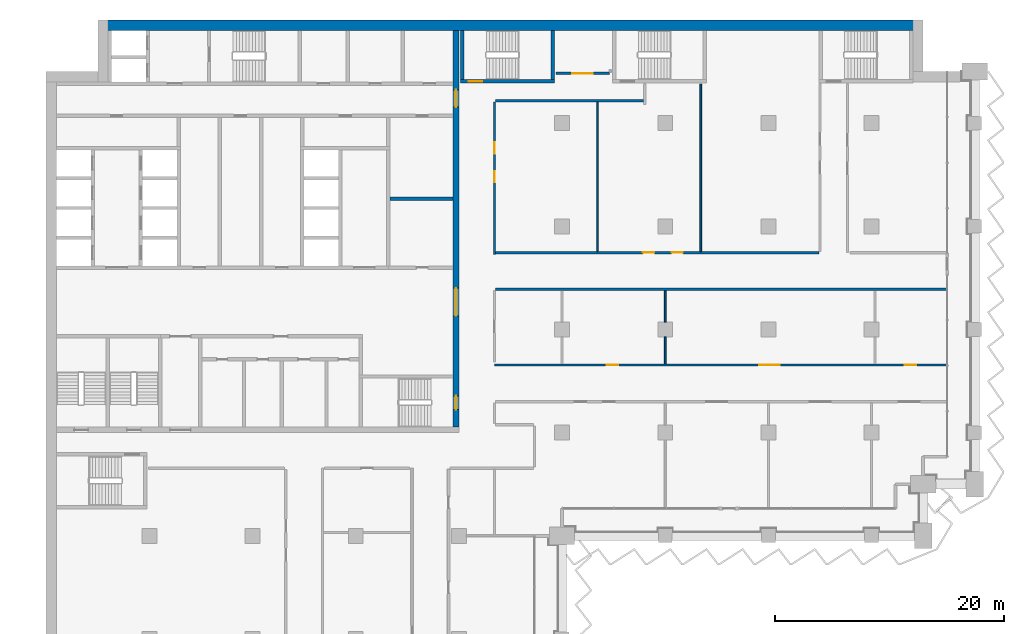
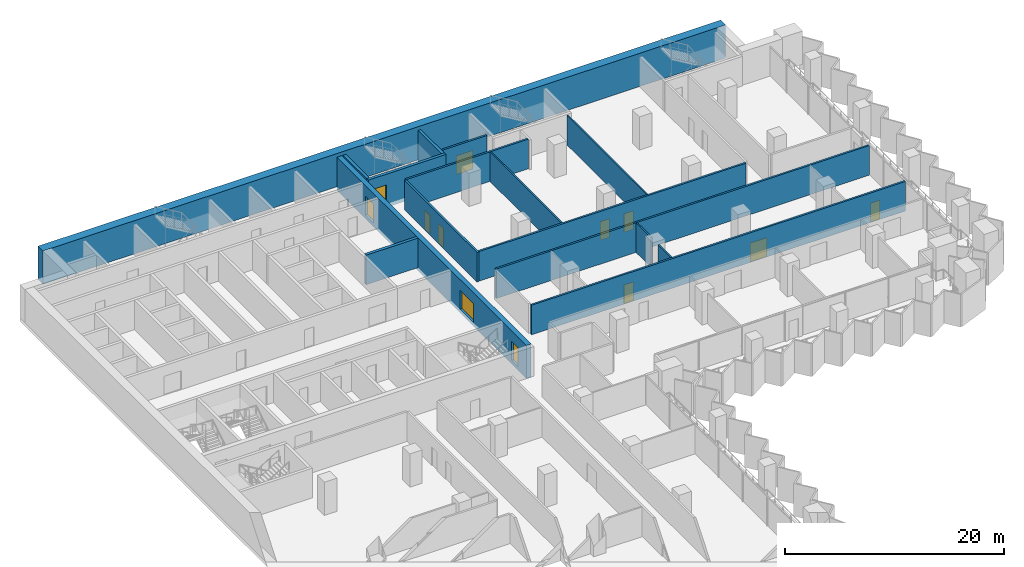
# One storey, part 14 of 23: 16 walls, 12 doors, 12 openings.
"""IFC4 building model written with IfcOpenShell, lengths in metres."""

from ifc_helpers import new_model, si_unit, direction, frame, frame_2d, origin, place, context, subcontext, project, spatial, rectangle, extrude, material, layer, layer_set, type_object, element, fill, save


model = new_model("IFC4")

# Units and contexts
model_context = context("Model", 3, precision=1e-05, world=origin(), true_north=direction((0.0, 1.0)))
body_context = subcontext(model_context, "Body", "Model", "MODEL_VIEW")
ifc_project = project(units=[si_unit("LENGTHUNIT", "METRE"), si_unit("AREAUNIT", "SQUARE_METRE"), si_unit("VOLUMEUNIT", "CUBIC_METRE"), si_unit("PLANEANGLEUNIT", "RADIAN"), si_unit("MASSUNIT", "GRAM", prefix="KILO")], contexts=[model_context])

# Site, building, storey
site_placement = place(None, origin())
site = spatial("IfcSite", under=ifc_project, at=site_placement, CompositionType="ELEMENT")
building_placement = place(site_placement, origin())
building = spatial("IfcBuilding", under=site, at=building_placement, Name="Hunhe Ridgeline Campus", CompositionType="ELEMENT")
storey_placement = place(building_placement, frame((0.0, 0.0, 95.89990234375)))
storey = spatial("IfcBuildingStorey", under=building, at=storey_placement, Name="L23", CompositionType="ELEMENT", Elevation=95.89990234375)

# Wall
ifc_material_1 = material(Name="Masonry concrete blockwork", Category="masonry")
ifc_layer_1 = layer(ifc_material_1, 0.300048828125)
ifc_layer_set_1 = layer_set([ifc_layer_1], Name="Core room partition 300 concrete block")
wall_type_1 = type_object("IfcWallType", Name="Core room partition 300 concrete block", PredefinedType="PARTITIONING", material=ifc_layer_set_1)
wall_1_placement = place(storey_placement, frame((30.0, 83.39990234375, 0.0), z_axis=(0.0, 0.0, 1.0), x_axis=(1.0, 0.0, 0.0)))
element("IfcWall", 1, at=wall_1_placement, inside=storey, type_object=wall_type_1, Name="L23 core partition 20", PredefinedType="PARTITIONING", context=body_context, shape_type="SweptSolid", body=[
    extrude(rectangle(XDim=5.5, YDim=0.300048828125, at=frame_2d((2.75, 0.0))), origin(), (0.0, 0.0, 1.0), 3.300048828125),
])

# Wall, openings, doors
ifc_material_2 = material(Name="Concrete C80", Category="concrete")
ifc_layer_2 = layer(ifc_material_2, 0.5)
ifc_layer_set_2 = layer_set([ifc_layer_2], Name="Core wall 500 reinforced concrete C80")
wall_type_2 = type_object("IfcWallType", Name="Core wall 500 reinforced concrete C80", PredefinedType="SOLIDWALL", material=ifc_layer_set_2)
wall_2_placement = place(storey_placement, frame((35.75, 63.5, -0.39990234375), z_axis=(0.0, 0.0, 1.0), x_axis=(0.0, 1.0, 0.0)))
wall_2 = element("IfcWall", 2, at=wall_2_placement, inside=storey, type_object=wall_type_2, Name="L23 core wall 61", PredefinedType="SOLIDWALL", context=body_context, shape_type="SweptSolid", body=[
    extrude(rectangle(XDim=34.60009765625, YDim=0.5, at=frame_2d((17.300048828125, 0.0))), origin(), (0.0, 0.0, 1.0), 3.699951171875),
])
opening_1_placement = place(wall_2_placement, frame((9.699951171875, 0.0, 0.39990234375)))
opening_1 = element("IfcOpeningElement", 3, at=opening_1_placement, cuts=wall_2, Name="Opening CD4", PredefinedType="OPENING", context=body_context, shape_type="SweptSolid", body=[
    extrude(rectangle(XDim=2.39990234375, YDim=2.10009765625, at=frame_2d((1.199951171875, 1.050048828125))), frame((0.0, 0.25, 0.0), z_axis=(0.0, -1.0, 0.0), x_axis=(1.0, 0.0, 0.0)), (0.0, 0.0, 1.0), 0.5),
])
opening_2_placement = place(wall_2_placement, frame((27.89990234375, 0.0, 0.39990234375)))
opening_2 = element("IfcOpeningElement", 4, at=opening_2_placement, cuts=wall_2, Name="Opening CD5", PredefinedType="OPENING", context=body_context, shape_type="SweptSolid", body=[
    extrude(rectangle(XDim=1.5, YDim=2.10009765625, at=frame_2d((0.75, 1.050048828125))), frame((0.0, 0.25, 0.0), z_axis=(0.0, -1.0, 0.0), x_axis=(1.0, 0.0, 0.0)), (0.0, 0.0, 1.0), 0.5),
])
opening_3_placement = place(wall_2_placement, frame((1.5, 0.0, 0.39990234375)))
opening_3 = element("IfcOpeningElement", 5, at=opening_3_placement, cuts=wall_2, Name="Opening CD15", PredefinedType="OPENING", context=body_context, shape_type="SweptSolid", body=[
    extrude(rectangle(XDim=1.199951171875, YDim=2.10009765625, at=frame_2d((0.60009765625, 1.050048828125))), frame((0.0, 0.25, 0.0), z_axis=(0.0, -1.0, 0.0), x_axis=(1.0, 0.0, 0.0)), (0.0, 0.0, 1.0), 0.5),
])
ifc_material_3 = material(Name="Anodised aluminium and glass", Category="aluminium")
door_type_1 = type_object("IfcDoorType", Name="Glazed double door 2400x2100", OperationType="DOUBLE_DOOR_SINGLE_SWING", PredefinedType="DOOR", material=ifc_material_3)
door_1_placement = place(opening_1_placement, frame((2.39990234375, 0.0, 0.0), z_axis=(0.0, 0.0, 1.0), x_axis=(-1.0, 0.0, 0.0)))
door_1 = element("IfcDoor", 6, at=door_1_placement, inside=storey, type_object=door_type_1, Name="L23 door HALL-FLOOR", OperationType="DOUBLE_DOOR_SINGLE_SWING", OverallHeight=2.10009765625, OverallWidth=2.39990234375, PredefinedType="DOOR", context=body_context, shape_type="SweptSolid", body=[
    extrude(rectangle(XDim=2.39990234375, YDim=2.10009765625, at=frame_2d((1.199951171875, 1.050048828125))), frame((0.0, 0.02490234375, 0.0), z_axis=(0.0, -1.0, 0.0), x_axis=(1.0, 0.0, 0.0)), (0.0, 0.0, 1.0), 0.050048828125),
])
fill(opening_1, door_1)
ifc_material_4 = material(Name="Hollow metal fire door leaf")
door_type_2 = type_object("IfcDoorType", Name="Stair door 1200x2100 FD60", OperationType="SINGLE_SWING_LEFT", PredefinedType="DOOR", material=ifc_material_4)
door_2_placement = place(opening_3_placement, frame((1.199951171875, 0.0, 0.0), z_axis=(0.0, 0.0, 1.0), x_axis=(-1.0, 0.0, 0.0)))
door_2 = element("IfcDoor", 7, at=door_2_placement, inside=storey, type_object=door_type_2, Name="L23 door S2-FLOOR", OperationType="SINGLE_SWING_RIGHT", OverallHeight=2.10009765625, OverallWidth=1.199951171875, PredefinedType="DOOR", context=body_context, shape_type="SweptSolid", body=[
    extrude(rectangle(XDim=1.199951171875, YDim=2.10009765625, at=frame_2d((0.60009765625, 1.050048828125))), frame((0.0, 0.02490234375, 0.0), z_axis=(0.0, -1.0, 0.0), x_axis=(1.0, 0.0, 0.0)), (0.0, 0.0, 1.0), 0.050048828125),
])
fill(opening_3, door_2)
ifc_material_5 = material(Name="Solid core timber door leaf", Category="wood")
door_type_3 = type_object("IfcDoorType", Name="Timber door 1500x2100", OperationType="SINGLE_SWING_LEFT", PredefinedType="DOOR", material=ifc_material_5)
door_3_placement = place(opening_2_placement, frame((1.5, 0.0, 0.0), z_axis=(0.0, 0.0, 1.0), x_axis=(-1.0, 0.0, 0.0)))
door_3 = element("IfcDoor", 8, at=door_3_placement, inside=storey, type_object=door_type_3, Name="L23 door C1-FLOOR", OperationType="SINGLE_SWING_RIGHT", OverallHeight=2.10009765625, OverallWidth=1.5, PredefinedType="DOOR", context=body_context, shape_type="SweptSolid", body=[
    extrude(rectangle(XDim=1.5, YDim=2.10009765625, at=frame_2d((0.75, 1.050048828125))), frame((0.0, 0.02490234375, 0.0), z_axis=(0.0, -1.0, 0.0), x_axis=(1.0, 0.0, 0.0)), (0.0, 0.0, 1.0), 0.050048828125),
])
fill(opening_2, door_3)

ifc_material_6 = material(Name="Gypsum board partition")
ifc_layer_3 = layer(ifc_material_6, 0.199951171875)
ifc_layer_set_3 = layer_set([ifc_layer_3], Name="Corridor partition 200 gypsum board on steel studs")
wall_type_3 = type_object("IfcWallType", Name="Corridor partition 200 gypsum board on steel studs", PredefinedType="PARTITIONING", material=ifc_layer_set_3)
wall_3_placement = place(storey_placement, frame((39.10009765625, 68.89990234375, 0.0), z_axis=(0.0, 0.0, 1.0), x_axis=(1.0, 0.0, 0.0)))
wall_3 = element("IfcWall", 9, at=wall_3_placement, inside=storey, type_object=wall_type_3, Name="F-L23-wall-034", PredefinedType="PARTITIONING", context=body_context, shape_type="SweptSolid", body=[
    extrude(rectangle(XDim=39.44482421875, YDim=0.199951171875, at=frame_2d((19.722412109375, 0.0))), origin(), (0.0, 0.0, 1.0), 3.300048828125),
])
opening_4_placement = place(wall_3_placement, frame((9.80078125, 0.0, 0.0)))
opening_4 = element("IfcOpeningElement", 10, at=opening_4_placement, cuts=wall_3, Name="Opening RD1-025", PredefinedType="OPENING", context=body_context, shape_type="SweptSolid", body=[
    extrude(rectangle(XDim=1.0, YDim=2.10009765625, at=frame_2d((0.5, 1.050048828125))), frame((0.0, 0.10009765625, 0.0), z_axis=(0.0, -1.0, 0.0), x_axis=(1.0, 0.0, 0.0)), (0.0, 0.0, 1.0), 0.199951171875),
])
opening_5_placement = place(wall_3_placement, frame((23.093505859375, 0.0, 0.0)))
opening_5 = element("IfcOpeningElement", 11, at=opening_5_placement, cuts=wall_3, Name="Opening RD2-026", PredefinedType="OPENING", context=body_context, shape_type="SweptSolid", body=[
    extrude(rectangle(XDim=1.800048828125, YDim=2.10009765625, at=frame_2d((0.89990234375, 1.050048828125))), frame((0.0, 0.10009765625, 0.0), z_axis=(0.0, -1.0, 0.0), x_axis=(1.0, 0.0, 0.0)), (0.0, 0.0, 1.0), 0.199951171875),
])
opening_6_placement = place(wall_3_placement, frame((35.804443359375, 0.0, 0.0)))
opening_6 = element("IfcOpeningElement", 12, at=opening_6_placement, cuts=wall_3, Name="Opening RD1-027", PredefinedType="OPENING", context=body_context, shape_type="SweptSolid", body=[
    extrude(rectangle(XDim=1.0, YDim=2.10009765625, at=frame_2d((0.5, 1.050048828125))), frame((0.0, 0.10009765625, 0.0), z_axis=(0.0, -1.0, 0.0), x_axis=(1.0, 0.0, 0.0)), (0.0, 0.0, 1.0), 0.199951171875),
])
ifc_material_7 = material(Name="Timber door leaf", Category="wood")
door_type_4 = type_object("IfcDoorType", Name="Double fire door 1800x2100 timber FD60", OperationType="DOUBLE_DOOR_SINGLE_SWING", PredefinedType="DOOR", material=ifc_material_7)
door_4_placement = place(opening_5_placement, origin())
door_4 = element("IfcDoor", 13, at=door_4_placement, inside=storey, type_object=door_type_4, Name="F-L23-door-026", OperationType="DOUBLE_DOOR_SINGLE_SWING", OverallHeight=2.10009765625, OverallWidth=1.800048828125, PredefinedType="DOOR", context=body_context, shape_type="SweptSolid", body=[
    extrude(rectangle(XDim=1.800048828125, YDim=2.10009765625, at=frame_2d((0.89990234375, 1.050048828125))), frame((0.0, 0.02490234375, 0.0), z_axis=(0.0, -1.0, 0.0), x_axis=(1.0, 0.0, 0.0)), (0.0, 0.0, 1.0), 0.050048828125),
])
fill(opening_5, door_4)
door_type_5 = type_object("IfcDoorType", Name="Single fire door 1000x2100 timber FD60", OperationType="NOTDEFINED", PredefinedType="DOOR", material=ifc_material_7)
door_5_placement = place(opening_4_placement, origin())
door_5 = element("IfcDoor", 14, at=door_5_placement, inside=storey, type_object=door_type_5, Name="F-L23-door-025", OperationType="SINGLE_SWING_RIGHT", OverallHeight=2.10009765625, OverallWidth=1.0, PredefinedType="DOOR", context=body_context, shape_type="SweptSolid", body=[
    extrude(rectangle(XDim=1.0, YDim=2.10009765625, at=frame_2d((0.5, 1.050048828125))), frame((0.0, 0.02490234375, 0.0), z_axis=(0.0, -1.0, 0.0), x_axis=(1.0, 0.0, 0.0)), (0.0, 0.0, 1.0), 0.050048828125),
])
fill(opening_4, door_5)
door_6_placement = place(opening_6_placement, origin())
door_6 = element("IfcDoor", 15, at=door_6_placement, inside=storey, type_object=door_type_5, Name="F-L23-door-027", OperationType="SINGLE_SWING_RIGHT", OverallHeight=2.10009765625, OverallWidth=1.0, PredefinedType="DOOR", context=body_context, shape_type="SweptSolid", body=[
    extrude(rectangle(XDim=1.0, YDim=2.10009765625, at=frame_2d((0.5, 1.050048828125))), frame((0.0, 0.02490234375, 0.0), z_axis=(0.0, -1.0, 0.0), x_axis=(1.0, 0.0, 0.0)), (0.0, 0.0, 1.0), 0.050048828125),
])
fill(opening_6, door_6)

# Wall
wall_4_placement = place(storey_placement, frame((78.544921875, 75.5, 0.0), z_axis=(0.0, 0.0, 1.0), x_axis=(-1.0, 0.0, 0.0)))
element("IfcWall", 16, at=wall_4_placement, inside=storey, type_object=wall_type_3, Name="F-L23-wall-035", PredefinedType="PARTITIONING", context=body_context, shape_type="SweptSolid", body=[
    extrude(rectangle(XDim=39.344970703125, YDim=0.199951171875, at=frame_2d((19.67236328125, 0.0))), origin(), (0.0, 0.0, 1.0), 3.300048828125),
])

# Wall, openings, doors
wall_5_placement = place(storey_placement, frame((39.199951171875, 78.699951171875, 0.0), z_axis=(0.0, 0.0, 1.0), x_axis=(1.0, 0.0, 0.0)))
wall_5 = element("IfcWall", 17, at=wall_5_placement, inside=storey, type_object=wall_type_3, Name="F-L23-wall-036", PredefinedType="PARTITIONING", context=body_context, shape_type="SweptSolid", body=[
    extrude(rectangle(XDim=28.199951171875, YDim=0.199951171875, at=frame_2d((14.10009765625, 0.0))), origin(), (0.0, 0.0, 1.0), 3.300048828125),
])
opening_7_placement = place(wall_5_placement, frame((12.844482421875, 0.0, 0.0)))
opening_7 = element("IfcOpeningElement", 18, at=opening_7_placement, cuts=wall_5, Name="Opening RD1-029", PredefinedType="OPENING", context=body_context, shape_type="SweptSolid", body=[
    extrude(rectangle(XDim=1.0, YDim=2.10009765625, at=frame_2d((0.5, 1.050048828125))), frame((0.0, 0.10009765625, 0.0), z_axis=(0.0, -1.0, 0.0), x_axis=(1.0, 0.0, 0.0)), (0.0, 0.0, 1.0), 0.199951171875),
])
opening_8_placement = place(wall_5_placement, frame((15.344482421875, 0.0, 0.0)))
opening_8 = element("IfcOpeningElement", 19, at=opening_8_placement, cuts=wall_5, Name="Opening RD1-030", PredefinedType="OPENING", context=body_context, shape_type="SweptSolid", body=[
    extrude(rectangle(XDim=1.0, YDim=2.10009765625, at=frame_2d((0.5, 1.050048828125))), frame((0.0, 0.10009765625, 0.0), z_axis=(0.0, -1.0, 0.0), x_axis=(1.0, 0.0, 0.0)), (0.0, 0.0, 1.0), 0.199951171875),
])
door_7_placement = place(opening_7_placement, frame((1.0, 0.0, 0.0), z_axis=(0.0, 0.0, 1.0), x_axis=(-1.0, 0.0, 0.0)))
door_7 = element("IfcDoor", 20, at=door_7_placement, inside=storey, type_object=door_type_5, Name="F-L23-door-029", OperationType="SINGLE_SWING_LEFT", OverallHeight=2.10009765625, OverallWidth=1.0, PredefinedType="DOOR", context=body_context, shape_type="SweptSolid", body=[
    extrude(rectangle(XDim=1.0, YDim=2.10009765625, at=frame_2d((0.5, 1.050048828125))), frame((0.0, 0.02490234375, 0.0), z_axis=(0.0, -1.0, 0.0), x_axis=(1.0, 0.0, 0.0)), (0.0, 0.0, 1.0), 0.050048828125),
])
fill(opening_7, door_7)
door_8_placement = place(opening_8_placement, frame((1.0, 0.0, 0.0), z_axis=(0.0, 0.0, 1.0), x_axis=(-1.0, 0.0, 0.0)))
door_8 = element("IfcDoor", 21, at=door_8_placement, inside=storey, type_object=door_type_5, Name="F-L23-door-030", OperationType="SINGLE_SWING_LEFT", OverallHeight=2.10009765625, OverallWidth=1.0, PredefinedType="DOOR", context=body_context, shape_type="SweptSolid", body=[
    extrude(rectangle(XDim=1.0, YDim=2.10009765625, at=frame_2d((0.5, 1.050048828125))), frame((0.0, 0.02490234375, 0.0), z_axis=(0.0, -1.0, 0.0), x_axis=(1.0, 0.0, 0.0)), (0.0, 0.0, 1.0), 0.050048828125),
])
fill(opening_8, door_8)

# Wall
wall_6_placement = place(storey_placement, frame((52.10009765625, 91.949951171875, 0.0), z_axis=(0.0, 0.0, 1.0), x_axis=(-1.0, 0.0, 0.0)))
element("IfcWall", 22, at=wall_6_placement, inside=storey, type_object=wall_type_3, Name="F-L23-wall-038", PredefinedType="PARTITIONING", context=body_context, shape_type="SweptSolid", body=[
    extrude(rectangle(XDim=12.900146484375, YDim=0.199951171875, at=frame_2d((6.4501953125, 0.0))), origin(), (0.0, 0.0, 1.0), 3.300048828125),
])

# Wall, opening, door
wall_7_placement = place(storey_placement, frame((44.4541015625, 94.35009765625, 0.0), z_axis=(0.0, 0.0, 1.0), x_axis=(1.0, 0.0, 0.0)))
wall_7 = element("IfcWall", 23, at=wall_7_placement, inside=storey, type_object=wall_type_3, Name="F-L23-wall-039", PredefinedType="PARTITIONING", context=body_context, shape_type="SweptSolid", body=[
    extrude(rectangle(XDim=4.6708984375, YDim=0.199951171875, at=frame_2d((2.33544921875, 0.0))), origin(), (0.0, 0.0, 1.0), 3.300048828125),
])
opening_9_placement = place(wall_7_placement, frame((1.435546875, 0.0, 0.0)))
opening_9 = element("IfcOpeningElement", 24, at=opening_9_placement, cuts=wall_7, Name="Opening RD2-037", PredefinedType="OPENING", context=body_context, shape_type="SweptSolid", body=[
    extrude(rectangle(XDim=1.800048828125, YDim=2.10009765625, at=frame_2d((0.89990234375, 1.050048828125))), frame((0.0, 0.10009765625, 0.0), z_axis=(0.0, -1.0, 0.0), x_axis=(1.0, 0.0, 0.0)), (0.0, 0.0, 1.0), 0.199951171875),
])
door_9_placement = place(opening_9_placement, origin())
door_9 = element("IfcDoor", 25, at=door_9_placement, inside=storey, type_object=door_type_4, Name="F-L23-door-037", OperationType="DOUBLE_DOOR_SINGLE_SWING", OverallHeight=2.10009765625, OverallWidth=1.800048828125, PredefinedType="DOOR", context=body_context, shape_type="SweptSolid", body=[
    extrude(rectangle(XDim=1.800048828125, YDim=2.10009765625, at=frame_2d((0.89990234375, 1.050048828125))), frame((0.0, 0.02490234375, 0.0), z_axis=(0.0, -1.0, 0.0), x_axis=(1.0, 0.0, 0.0)), (0.0, 0.0, 1.0), 0.050048828125),
])
fill(opening_9, door_9)

# Wall, openings, doors
wall_8_placement = place(storey_placement, frame((39.10009765625, 91.85009765625, 0.0), z_axis=(0.0, 0.0, 1.0), x_axis=(0.0, -1.0, 0.0)))
wall_8 = element("IfcWall", 26, at=wall_8_placement, inside=storey, type_object=wall_type_3, Name="F-L23-wall-054", PredefinedType="PARTITIONING", context=body_context, shape_type="SweptSolid", body=[
    extrude(rectangle(XDim=13.302001953125, YDim=0.199951171875, at=frame_2d((6.65087890625, 0.0))), origin(), (0.0, 0.0, 1.0), 3.300048828125),
])
opening_10_placement = place(wall_8_placement, frame((6.025390625, 0.0, 0.0)))
opening_10 = element("IfcOpeningElement", 27, at=opening_10_placement, cuts=wall_8, Name="Opening RD1-031", PredefinedType="OPENING", context=body_context, shape_type="SweptSolid", body=[
    extrude(rectangle(XDim=1.0, YDim=2.10009765625, at=frame_2d((0.5, 1.050048828125))), frame((0.0, 0.10009765625, 0.0), z_axis=(0.0, -1.0, 0.0), x_axis=(1.0, 0.0, 0.0)), (0.0, 0.0, 1.0), 0.199951171875),
])
opening_11_placement = place(wall_8_placement, frame((3.525390625, 0.0, 0.0)))
opening_11 = element("IfcOpeningElement", 28, at=opening_11_placement, cuts=wall_8, Name="Opening RD1-034", PredefinedType="OPENING", context=body_context, shape_type="SweptSolid", body=[
    extrude(rectangle(XDim=1.0, YDim=2.10009765625, at=frame_2d((0.5, 1.050048828125))), frame((0.0, 0.10009765625, 0.0), z_axis=(0.0, -1.0, 0.0), x_axis=(1.0, 0.0, 0.0)), (0.0, 0.0, 1.0), 0.199951171875),
])
door_10_placement = place(opening_10_placement, frame((1.0, 0.0, 0.0), z_axis=(0.0, 0.0, 1.0), x_axis=(-1.0, 0.0, 0.0)))
door_10 = element("IfcDoor", 29, at=door_10_placement, inside=storey, type_object=door_type_5, Name="F-L23-door-031", OperationType="SINGLE_SWING_RIGHT", OverallHeight=2.10009765625, OverallWidth=1.0, PredefinedType="DOOR", context=body_context, shape_type="SweptSolid", body=[
    extrude(rectangle(XDim=1.0, YDim=2.10009765625, at=frame_2d((0.5, 1.050048828125))), frame((0.0, 0.02490234375, 0.0), z_axis=(0.0, -1.0, 0.0), x_axis=(1.0, 0.0, 0.0)), (0.0, 0.0, 1.0), 0.050048828125),
])
fill(opening_10, door_10)
door_11_placement = place(opening_11_placement, frame((1.0, 0.0, 0.0), z_axis=(0.0, 0.0, 1.0), x_axis=(-1.0, 0.0, 0.0)))
door_11 = element("IfcDoor", 30, at=door_11_placement, inside=storey, type_object=door_type_5, Name="F-L23-door-034", OperationType="SINGLE_SWING_RIGHT", OverallHeight=2.10009765625, OverallWidth=1.0, PredefinedType="DOOR", context=body_context, shape_type="SweptSolid", body=[
    extrude(rectangle(XDim=1.0, YDim=2.10009765625, at=frame_2d((0.5, 1.050048828125))), frame((0.0, 0.02490234375, 0.0), z_axis=(0.0, -1.0, 0.0), x_axis=(1.0, 0.0, 0.0)), (0.0, 0.0, 1.0), 0.050048828125),
])
fill(opening_11, door_11)

# Walls
ifc_layer_4 = layer(ifc_material_6, 0.14990234375)
ifc_layer_set_4 = layer_set([ifc_layer_4], Name="Room partition 150 gypsum board on steel studs")
wall_type_4 = type_object("IfcWallType", Name="Room partition 150 gypsum board on steel studs", PredefinedType="PARTITIONING", material=ifc_layer_set_4)
wall_9_placement = place(storey_placement, frame((48.10009765625, 91.85009765625, 0.0), z_axis=(0.0, 0.0, 1.0), x_axis=(0.0, -1.0, 0.0)))
element("IfcWall", 31, at=wall_9_placement, inside=storey, type_object=wall_type_4, Name="F-L23-wall-058", PredefinedType="PARTITIONING", context=body_context, shape_type="SweptSolid", body=[
    extrude(rectangle(XDim=13.050048828125, YDim=0.14990234375, at=frame_2d((6.52490234375, 0.0))), origin(), (0.0, 0.0, 1.0), 3.300048828125),
])
wall_10_placement = place(storey_placement, frame((54.0, 71.35009765625, 0.0), z_axis=(0.0, 0.0, 1.0), x_axis=(0.0, -1.0, 0.0)))
element("IfcWall", 32, at=wall_10_placement, inside=storey, type_object=wall_type_4, Name="F-L23-wall-063", PredefinedType="PARTITIONING", context=body_context, shape_type="SweptSolid", body=[
    extrude(rectangle(XDim=2.35009765625, YDim=0.14990234375, at=frame_2d((1.175048828125, 0.0))), origin(), (0.0, 0.0, 1.0), 3.300048828125),
])
wall_11_placement = place(storey_placement, frame((54.0, 75.39990234375, 0.0), z_axis=(0.0, 0.0, 1.0), x_axis=(0.0, -1.0, 0.0)))
element("IfcWall", 33, at=wall_11_placement, inside=storey, type_object=wall_type_4, Name="F-L23-wall-064", PredefinedType="PARTITIONING", context=body_context, shape_type="SweptSolid", body=[
    extrude(rectangle(XDim=2.75, YDim=0.14990234375, at=frame_2d((1.375, 0.0))), origin(), (0.0, 0.0, 1.0), 3.300048828125),
])
wall_12_placement = place(storey_placement, frame((57.10009765625, 93.39599609375, 0.0), z_axis=(0.0, 0.0, 1.0), x_axis=(0.0, -1.0, 0.0)))
element("IfcWall", 34, at=wall_12_placement, inside=storey, type_object=wall_type_4, Name="F-L23-wall-065", PredefinedType="PARTITIONING", context=body_context, shape_type="SweptSolid", body=[
    extrude(rectangle(XDim=14.595947265625, YDim=0.14990234375, at=frame_2d((7.2978515625, 0.0))), origin(), (0.0, 0.0, 1.0), 3.300048828125),
])
ifc_material_8 = material(Name="Concrete C70", Category="concrete")
ifc_layer_5 = layer(ifc_material_8, 0.89990234375)
ifc_layer_set_5 = layer_set([ifc_layer_5], Name="Spine wall 900 Concrete C70")
wall_type_5 = type_object("IfcWallType", Name="Spine wall 900 Concrete C70", PredefinedType="SHEAR", material=ifc_layer_set_5)
wall_13_placement = place(storey_placement, frame((76.5, 98.550048828125, 0.0), z_axis=(0.0, 0.0, 1.0), x_axis=(-1.0, 0.0, 0.0)))
element("IfcWall", 35, at=wall_13_placement, inside=storey, type_object=wall_type_5, Name="Spine wall SW2-4 L23", PredefinedType="SHEAR", context=body_context, shape_type="SweptSolid", body=[
    extrude(rectangle(XDim=72.0, YDim=0.89990234375, at=frame_2d((36.0, 0.0))), origin(), (0.0, 0.0, 1.0), 3.7001953125),
])

# Wall, opening, door
ifc_layer_6 = layer(ifc_material_2, 0.300048828125)
ifc_layer_set_6 = layer_set([ifc_layer_6], Name="Stair wall 300 reinforced concrete C80")
wall_type_6 = type_object("IfcWallType", Name="Stair wall 300 reinforced concrete C80", PredefinedType="SOLIDWALL", material=ifc_layer_set_6)
wall_14_placement = place(storey_placement, frame((36.14990234375, 93.64990234375, -0.39990234375), z_axis=(0.0, 0.0, 1.0), x_axis=(1.0, 0.0, 0.0)))
wall_14 = element("IfcWall", 36, at=wall_14_placement, inside=storey, type_object=wall_type_6, Name="L23 core wall 28", PredefinedType="SOLIDWALL", context=body_context, shape_type="SweptSolid", body=[
    extrude(rectangle(XDim=8.2001953125, YDim=0.300048828125, at=frame_2d((4.10009765625, 0.0))), origin(), (0.0, 0.0, 1.0), 3.699951171875),
])
opening_12_placement = place(wall_14_placement, frame((0.699951171875, 0.0, 0.39990234375)))
opening_12 = element("IfcOpeningElement", 37, at=opening_12_placement, cuts=wall_14, Name="Opening CD17", PredefinedType="OPENING", context=body_context, shape_type="SweptSolid", body=[
    extrude(rectangle(XDim=1.199951171875, YDim=2.10009765625, at=frame_2d((0.60009765625, 1.050048828125))), frame((0.0, 0.14990234375, 0.0), z_axis=(0.0, -1.0, 0.0), x_axis=(1.0, 0.0, 0.0)), (0.0, 0.0, 1.0), 0.300048828125),
])
door_12_placement = place(opening_12_placement, frame((1.199951171875, 0.0, 0.0), z_axis=(0.0, 0.0, 1.0), x_axis=(-1.0, 0.0, 0.0)))
door_12 = element("IfcDoor", 38, at=door_12_placement, inside=storey, type_object=door_type_2, Name="L23 door E1", OperationType="SINGLE_SWING_RIGHT", OverallHeight=2.10009765625, OverallWidth=1.199951171875, PredefinedType="DOOR", context=body_context, shape_type="SweptSolid", body=[
    extrude(rectangle(XDim=1.199951171875, YDim=2.10009765625, at=frame_2d((0.60009765625, 1.050048828125))), frame((0.0, 0.02490234375, 0.0), z_axis=(0.0, -1.0, 0.0), x_axis=(1.0, 0.0, 0.0)), (0.0, 0.0, 1.0), 0.050048828125),
])
fill(opening_12, door_12)

# Walls
for number, where, z_axis, x_axis, name in (
    (39, (36.300048828125, 93.800048828125, -0.39990234375), (0.0, 0.0, 1.0), (0.0, 1.0, 0.0), "L23 core wall 62"),
    (40, (44.199951171875, 93.800048828125, -0.39990234375), (0.0, 0.0, 1.0), (0.0, 1.0, 0.0), "L23 core wall 63"),
):
    element("IfcWall", number, at=place(storey_placement, frame(where, z_axis=z_axis, x_axis=x_axis)), inside=storey, type_object=wall_type_6, Name=name, PredefinedType="SOLIDWALL", context=body_context, shape_type="SweptSolid", body=[
        extrude(rectangle(XDim=4.300048828125, YDim=0.300048828125, at=frame_2d((2.14990234375, 0.0))), origin(), (0.0, 0.0, 1.0), 3.699951171875),
    ])

save(model, "model.ifc")
